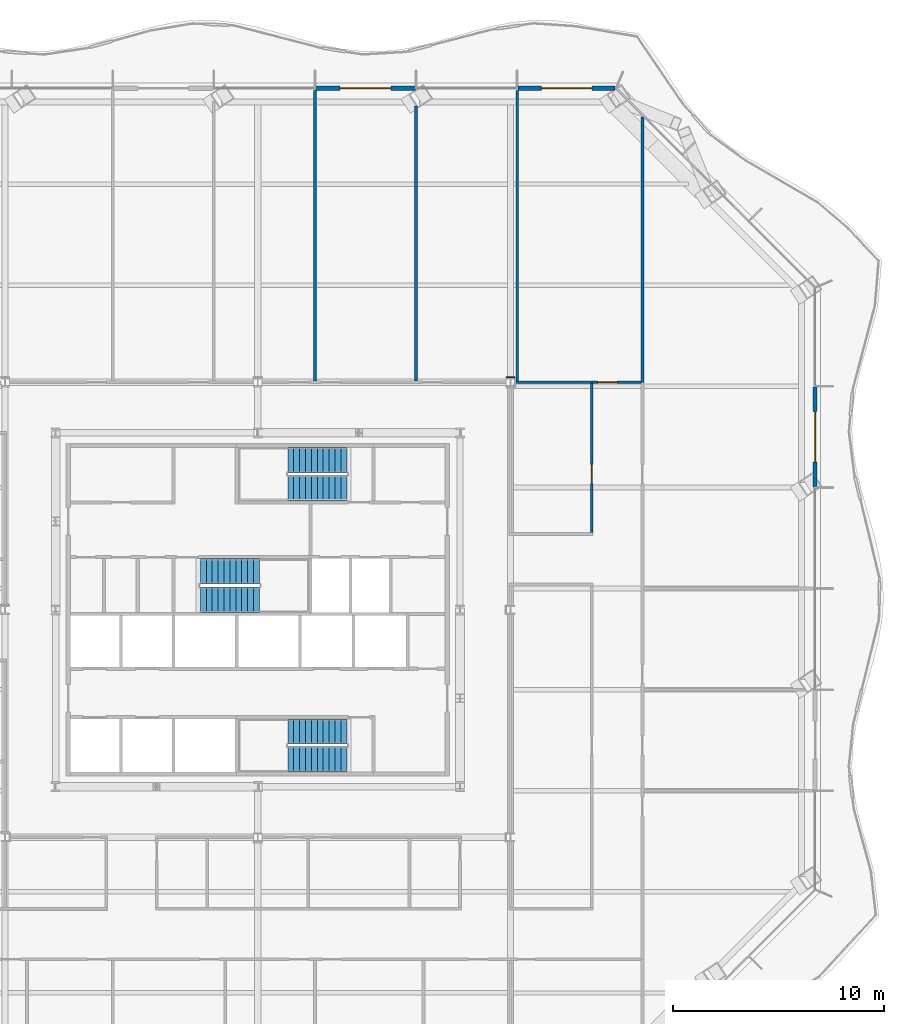
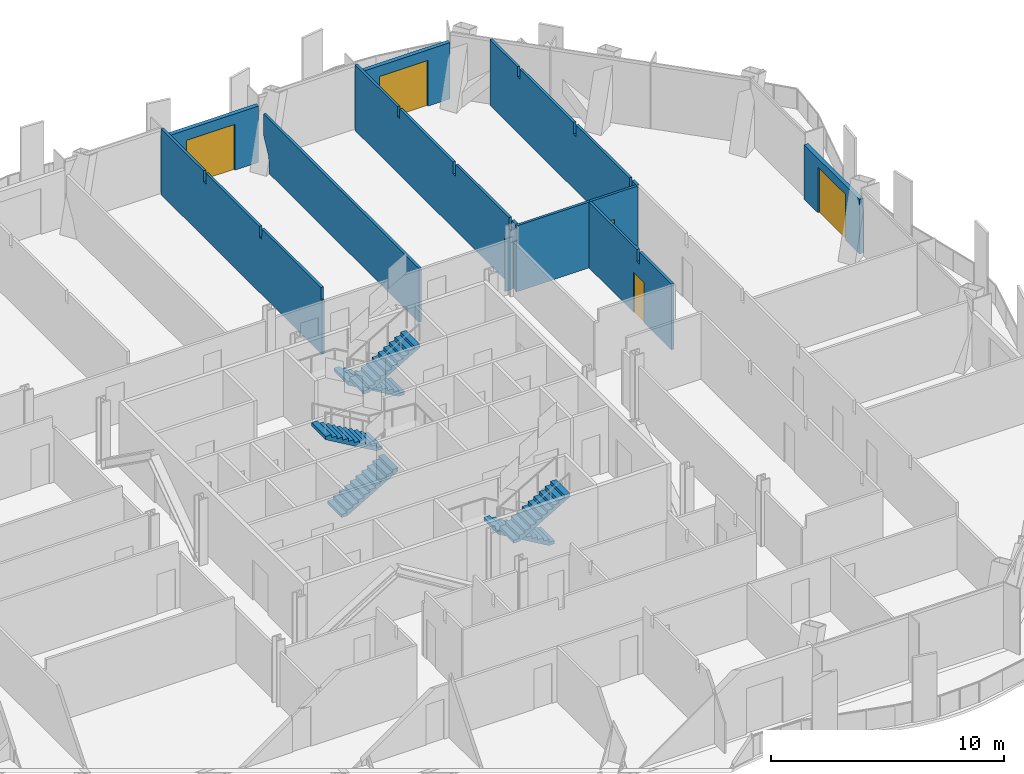
# One storey, part 13 of 22: 11 walls, 6 stair flights, 5 doors, 5 openings, 3 elements without a shape of their own.
"""IFC4 building model written with IfcOpenShell, lengths in metres."""

import ifcopenshell
import ifcopenshell.guid

model = None  # the IFC model being written
_history = None  # IfcOwnerHistory: only IFC2X3 demands one
_inside = {}  # id of a spatial element -> (the spatial element, [elements in it])
_under = {}  # id of a project, library or spatial element -> (it, [spatial elements below it])
_declared = {}  # id of a project -> (the project, [libraries it declares])
_typed = {}  # id of a type object -> (the type object, [elements of that type])
_made_of = {}  # id of a material, layer set ... -> (it, [elements and type objects made of it])


def new_model(schema):
    """Start an empty IFC model of exactly this schema.

    Asked for "IFC4X3", IfcOpenShell would pick the latest addendum, in which some entities
    have other attributes; the version numbers below select the first issue.
    IFC2X3 requires an IfcOwnerHistory on every rooted entity: one is made here for all.
    """
    global model, _history
    if schema == "IFC4X3":
        model = ifcopenshell.file(schema_version=(4, 3, 0, 0))
    else:
        model = ifcopenshell.file(schema=schema)
    _inside.clear()
    _under.clear()
    _declared.clear()
    _typed.clear()
    _made_of.clear()
    _history = None
    if model.schema == "IFC2X3":
        org = make("IfcOrganization", Name="unknown")
        user = make(
            "IfcPersonAndOrganization",
            ThePerson=make("IfcPerson", FamilyName="unknown"),
            TheOrganization=org,
        )
        app = make(
            "IfcApplication",
            ApplicationDeveloper=org,
            Version="unknown",
            ApplicationFullName="unknown",
            ApplicationIdentifier="unknown",
        )
        _history = make(
            "IfcOwnerHistory",
            OwningUser=user,
            OwningApplication=app,
            ChangeAction="ADDED",
            CreationDate=0,
        )
    return model


def make(cls, **values):
    """One entity of the class cls with the attributes given. An attribute that is None is left unset."""
    return model.create_entity(
        cls, **{name: value for name, value in values.items() if value is not None}
    )


def rooted(cls, **values):
    """An entity with a GlobalId (a new one), such as an element, a storey or a relation."""
    return make(cls, GlobalId=ifcopenshell.guid.new(), OwnerHistory=_history, **values)


def si_unit(unit_type, name, prefix=None):
    """IfcSIUnit, for example si_unit("LENGTHUNIT", "METRE", prefix="MILLI")."""
    return make("IfcSIUnit", UnitType=unit_type, Prefix=prefix, Name=name)


def assignment(units):
    """IfcUnitAssignment: the units of a project."""
    return None if units is None else make("IfcUnitAssignment", Units=units)


def point(xyz):
    """IfcCartesianPoint."""
    return None if xyz is None else make("IfcCartesianPoint", Coordinates=xyz)


def direction(xyz):
    """IfcDirection."""
    return None if xyz is None else make("IfcDirection", DirectionRatios=xyz)


def frame(location, z_axis=None, x_axis=None):
    """IfcAxis2Placement3D, a coordinate frame: its origin and axes. An axis left out is left unset."""
    return make(
        "IfcAxis2Placement3D",
        Location=point(location),
        Axis=direction(z_axis),
        RefDirection=direction(x_axis),
    )


def frame_2d(location, x_axis=None):
    """IfcAxis2Placement2D, a coordinate frame in the plane: its origin and x axis."""
    return make(
        "IfcAxis2Placement2D", Location=point(location), RefDirection=direction(x_axis)
    )


def origin():
    """The frame at (0, 0, 0) with its axes left unset."""
    return frame((0.0, 0.0, 0.0))


def place(relative_to, where):
    """IfcLocalPlacement: puts the frame where relative to a parent placement (None: the world)."""
    return make(
        "IfcLocalPlacement", PlacementRelTo=relative_to, RelativePlacement=where
    )


def context(
    kind, dimensions, precision=None, world=None, true_north=None, identifier=None
):
    """IfcGeometricRepresentationContext, for example the 3D "Model" context."""
    return make(
        "IfcGeometricRepresentationContext",
        ContextIdentifier=identifier,
        ContextType=kind,
        CoordinateSpaceDimension=dimensions,
        Precision=precision,
        WorldCoordinateSystem=world,
        TrueNorth=true_north,
    )


def subcontext(parent, identifier, kind, view, scale=None):
    """IfcGeometricRepresentationSubContext, for example "Body" below "Model"."""
    return make(
        "IfcGeometricRepresentationSubContext",
        ContextIdentifier=identifier,
        ContextType=kind,
        ParentContext=parent,
        TargetScale=scale,
        TargetView=view,
    )


def project(units=None, contexts=None):
    """IfcProject with its units and contexts."""
    return rooted(
        "IfcProject",
        Name="project",
        RepresentationContexts=contexts,
        UnitsInContext=assignment(units),
    )


def spatial(cls, under=None, at=None, **own):
    """A site, building, storey or space (cls), placed at a placement, below another one or the project."""
    s = rooted(cls, ObjectPlacement=at, **own)
    if under is not None:
        _under.setdefault(under.id(), (under, []))[1].append(s)
    return s


def polyline(points):
    """IfcPolyline through the points."""
    return make("IfcPolyline", Points=[point(p) for p in points])


def profile(cls, at=None, kind="AREA", **sizes):
    """A parametric profile (cls). Its sizes go by their IFC names, for example OverallWidth=200.0."""
    return make(cls, ProfileType=kind, Position=at, **sizes)


def rectangle(**sizes):
    """IfcRectangleProfileDef."""
    return profile("IfcRectangleProfileDef", **sizes)


def outline(outer, holes=None, kind="AREA"):
    """IfcArbitraryClosedProfileDef: a profile drawn as a closed curve; with holes, ...WithVoids."""
    if holes is None:
        return make("IfcArbitraryClosedProfileDef", ProfileType=kind, OuterCurve=outer)
    return make(
        "IfcArbitraryProfileDefWithVoids",
        ProfileType=kind,
        OuterCurve=outer,
        InnerCurves=holes,
    )


def extrude(swept, where, along, depth):
    """IfcExtrudedAreaSolid: the profile swept, set in the frame where, extruded along a direction by depth."""
    return make(
        "IfcExtrudedAreaSolid",
        SweptArea=swept,
        Position=where,
        ExtrudedDirection=direction(along),
        Depth=depth,
    )


def shape(context_of_items, identifier, shape_type, items):
    """IfcShapeRepresentation: the items that make up one representation, for example the "Body"."""
    return make(
        "IfcShapeRepresentation",
        ContextOfItems=context_of_items,
        RepresentationIdentifier=identifier,
        RepresentationType=shape_type,
        Items=items,
    )


def material(Name=None, Category=None):
    """IfcMaterial."""
    return make("IfcMaterial", Name=Name, Category=Category)


def layer(
    of_material, thickness, ventilated=None, Name=None, Category=None, Priority=None
):
    """IfcMaterialLayer: one layer of a wall or slab, of a material (None: an air gap)."""
    return make(
        "IfcMaterialLayer",
        Material=of_material,
        LayerThickness=thickness,
        IsVentilated=ventilated,
        Name=Name,
        Category=Category,
        Priority=Priority,
    )


def layer_set(layers, Name=None):
    """IfcMaterialLayerSet."""
    return make("IfcMaterialLayerSet", MaterialLayers=layers, LayerSetName=Name)


def made_of(thing, what):
    """Note that an element or type object is made of a material, layer set ...; save() writes the relation."""
    if what is not None:
        _made_of.setdefault(what.id(), (what, []))[1].append(thing)
    return thing


def type_object(cls, material=None, **own):
    """A type object (cls), such as IfcWallType, which elements share."""
    return made_of(rooted(cls, **own), material)


def element(
    cls,
    number,
    at=None,
    inside=None,
    cuts=None,
    type_object=None,
    material=None,
    context=None,
    identifier="Body",
    shape_type=None,
    held_by="IfcProductDefinitionShape",
    body=None,
    shapes=None,
    **own,
):
    """One element of the class cls, such as IfcWall. Its Tag is "e" and its number.

    at: its placement. inside: the storey or other place that contains it. cuts: it is an
    opening in that element (IfcRelVoidsElement). A single representation is given by context,
    identifier, shape_type and body (its items); several are given by shapes. held_by: the class
    of the entity that holds the representations. save() writes the other relations.
    """
    e = rooted(cls, Tag="e%d" % number, ObjectPlacement=at, **own)
    if body is not None:
        shapes = [shape(context, identifier, shape_type, body)]
    if shapes is not None:
        e.Representation = make(held_by, Representations=shapes)
    if inside is not None:
        _inside.setdefault(inside.id(), (inside, []))[1].append(e)
    if cuts is not None:
        rooted(
            "IfcRelVoidsElement", RelatingBuildingElement=cuts, RelatedOpeningElement=e
        )
    if type_object is not None:
        _typed.setdefault(type_object.id(), (type_object, []))[1].append(e)
    return made_of(e, material)


def fill(opening, filler):
    """IfcRelFillsElement: the door or window that sits in an opening."""
    return rooted(
        "IfcRelFillsElement",
        RelatingOpeningElement=opening,
        RelatedBuildingElement=filler,
    )


def aggregate(whole, parts):
    """IfcRelAggregates: a whole, such as a stair, and the parts it consists of."""
    return rooted("IfcRelAggregates", RelatingObject=whole, RelatedObjects=parts)


def save(model, path):
    """Write the relations noted so far, then the file.

    IfcRelAggregates (storeys below a building ...), IfcRelContainedInSpatialStructure (elements
    in a storey), IfcRelDefinesByType, IfcRelAssociatesMaterial and IfcRelDeclares: one each for
    every whole, place, type object, material and project.
    """
    for whole, parts in _under.values():
        aggregate(whole, parts)
    for where, things in _inside.values():
        rooted(
            "IfcRelContainedInSpatialStructure",
            RelatedElements=things,
            RelatingStructure=where,
        )
    for kind, things in _typed.values():
        rooted("IfcRelDefinesByType", RelatedObjects=things, RelatingType=kind)
    for what, things in _made_of.values():
        rooted("IfcRelAssociatesMaterial", RelatedObjects=things, RelatingMaterial=what)
    for by, libraries in _declared.values():
        rooted("IfcRelDeclares", RelatingContext=by, RelatedDefinitions=libraries)
    model.write(path)


model = new_model("IFC4")

# Units and contexts
model_context = context("Model", 3, precision=1e-05, world=origin(), true_north=direction((0.0, 1.0)))
body_context = subcontext(model_context, "Body", "Model", "MODEL_VIEW")
ifc_project = project(units=[si_unit("LENGTHUNIT", "METRE"), si_unit("AREAUNIT", "SQUARE_METRE"), si_unit("VOLUMEUNIT", "CUBIC_METRE"), si_unit("PLANEANGLEUNIT", "RADIAN"), si_unit("MASSUNIT", "GRAM", prefix="KILO")], contexts=[model_context])

# Site, building, storey
site_placement = place(None, origin())
site = spatial("IfcSite", under=ifc_project, at=site_placement, CompositionType="ELEMENT")
building_placement = place(site_placement, origin())
building = spatial("IfcBuilding", under=site, at=building_placement, Name="Cairn Pilgrim Tower", CompositionType="ELEMENT")
storey_placement = place(building_placement, frame((0.0, 0.0, 105.0)))
storey = spatial("IfcBuildingStorey", under=building, at=storey_placement, Name="L25", CompositionType="ELEMENT", Elevation=105.0)

# Wall, opening, door
ifc_material_1 = material(Name="Bronze anodised aluminium insulated sandwich panel with mineral wool fill", Category="aluminium")
ifc_layer_1 = layer(ifc_material_1, 0.199951171875)
ifc_layer_set_1 = layer_set([ifc_layer_1], Name="BRONZE INFILL FRAME WALL 200")
wall_type_1 = type_object("IfcWallType", Name="BRONZE INFILL FRAME WALL 200", PredefinedType="NOTDEFINED", material=ifc_layer_set_1)
wall_1_placement = place(storey_placement, frame((33.662841796875, 8.238525390625, 0.0), z_axis=(0.0, 0.0, 1.0), x_axis=(0.0, 1.0, 0.0)))
wall_1 = element("IfcWall", 1, at=wall_1_placement, inside=storey, type_object=wall_type_1, Name="Bronze infill frame wall IW-E5", PredefinedType="NOTDEFINED", context=body_context, shape_type="SweptSolid", body=[
    extrude(rectangle(XDim=4.739990234375, YDim=0.199951171875, at=frame_2d((2.3701171875, 0.0))), origin(), (0.0, 0.0, 1.0), 2.85009765625),
])
opening_1_placement = place(wall_1_placement, frame((1.17041015625, 0.0, 0.0)))
opening_1 = element("IfcOpeningElement", 2, at=opening_1_placement, cuts=wall_1, Name="Opening 2526B", PredefinedType="OPENING", context=body_context, shape_type="SweptSolid", body=[
    extrude(rectangle(XDim=2.39990234375, YDim=2.39990234375, at=frame_2d((1.199951171875, 1.199951171875))), frame((0.0, 0.10986328125, 0.0), z_axis=(0.0, -1.0, 0.0), x_axis=(1.0, 0.0, 0.0)), (0.0, 0.0, 1.0), 0.219970703125),
])
ifc_material_2 = material(Name="Bronze anodised aluminium frame with tinted low-E glass", Category="aluminium")
door_type_1 = type_object("IfcDoorType", Name="BALCONY SLIDING DOOR 2400x2400", OperationType="DOUBLE_DOOR_SLIDING", PredefinedType="DOOR", material=ifc_material_2)
door_1_placement = place(opening_1_placement, origin())
door_1 = element("IfcDoor", 3, at=door_1_placement, inside=storey, type_object=door_type_1, Name="Balcony sliding door 2526B", OperationType="SINGLE_SWING_LEFT", OverallHeight=2.39990234375, OverallWidth=2.39990234375, PredefinedType="DOOR", context=body_context, shape_type="SweptSolid", body=[
    extrude(rectangle(XDim=2.39990234375, YDim=2.39990234375, at=frame_2d((1.199951171875, 1.199951171875))), frame((0.0, 0.02490234375, 0.0), z_axis=(0.0, -1.0, 0.0), x_axis=(1.0, 0.0, 0.0)), (0.0, 0.0, 1.0), 0.050048828125),
])
fill(opening_1, door_1)

wall_2_placement = place(storey_placement, frame((24.16943359375, 27.15869140625, 0.0), z_axis=(0.0, 0.0, 1.0), x_axis=(-1.0, 0.0, 0.0)))
wall_2 = element("IfcWall", 4, at=wall_2_placement, inside=storey, type_object=wall_type_1, Name="Bronze infill frame wall IW-N1", PredefinedType="NOTDEFINED", context=body_context, shape_type="SweptSolid", body=[
    extrude(rectangle(XDim=4.62646484375, YDim=0.199951171875, at=frame_2d((2.313232421875, 0.0))), origin(), (0.0, 0.0, 1.0), 2.949951171875),
])
opening_2_placement = place(wall_2_placement, frame((1.10791015625, 0.0, 0.0)))
opening_2 = element("IfcOpeningElement", 5, at=opening_2_placement, cuts=wall_2, Name="Opening 2522B", PredefinedType="OPENING", context=body_context, shape_type="SweptSolid", body=[
    extrude(rectangle(XDim=2.39990234375, YDim=2.39990234375, at=frame_2d((1.199951171875, 1.199951171875))), frame((0.0, 0.10986328125, 0.0), z_axis=(0.0, -1.0, 0.0), x_axis=(1.0, 0.0, 0.0)), (0.0, 0.0, 1.0), 0.219970703125),
])
door_2_placement = place(opening_2_placement, origin())
door_2 = element("IfcDoor", 6, at=door_2_placement, inside=storey, type_object=door_type_1, Name="Balcony sliding door 2522B", OperationType="SINGLE_SWING_LEFT", OverallHeight=2.39990234375, OverallWidth=2.39990234375, PredefinedType="DOOR", context=body_context, shape_type="SweptSolid", body=[
    extrude(rectangle(XDim=2.39990234375, YDim=2.39990234375, at=frame_2d((1.199951171875, 1.199951171875))), frame((0.0, 0.02490234375, 0.0), z_axis=(0.0, -1.0, 0.0), x_axis=(1.0, 0.0, 0.0)), (0.0, 0.0, 1.0), 0.050048828125),
])
fill(opening_2, door_2)

wall_3_placement = place(storey_placement, frame((14.682861328125, 27.15869140625, 0.0), z_axis=(0.0, 0.0, 1.0), x_axis=(-1.0, 0.0, 0.0)))
wall_3 = element("IfcWall", 7, at=wall_3_placement, inside=storey, type_object=wall_type_1, Name="Bronze infill frame wall IW-N3", PredefinedType="NOTDEFINED", context=body_context, shape_type="SweptSolid", body=[
    extrude(rectangle(XDim=4.739990234375, YDim=0.199951171875, at=frame_2d((2.3701171875, 0.0))), origin(), (0.0, 0.0, 1.0), 2.949951171875),
])
opening_3_placement = place(wall_3_placement, frame((1.169921875, 0.0, 0.0)))
opening_3 = element("IfcOpeningElement", 8, at=opening_3_placement, cuts=wall_3, Name="Opening 2520B", PredefinedType="OPENING", context=body_context, shape_type="SweptSolid", body=[
    extrude(rectangle(XDim=2.39990234375, YDim=2.39990234375, at=frame_2d((1.199951171875, 1.199951171875))), frame((0.0, 0.10986328125, 0.0), z_axis=(0.0, -1.0, 0.0), x_axis=(1.0, 0.0, 0.0)), (0.0, 0.0, 1.0), 0.219970703125),
])
door_3_placement = place(opening_3_placement, origin())
door_3 = element("IfcDoor", 9, at=door_3_placement, inside=storey, type_object=door_type_1, Name="Balcony sliding door 2520B", OperationType="SINGLE_SWING_LEFT", OverallHeight=2.39990234375, OverallWidth=2.39990234375, PredefinedType="DOOR", context=body_context, shape_type="SweptSolid", body=[
    extrude(rectangle(XDim=2.39990234375, YDim=2.39990234375, at=frame_2d((1.199951171875, 1.199951171875))), frame((0.0, 0.02490234375, 0.0), z_axis=(0.0, -1.0, 0.0), x_axis=(1.0, 0.0, 0.0)), (0.0, 0.0, 1.0), 0.050048828125),
])
fill(opening_3, door_3)

ifc_material_3 = material(Name="Gypsum partition")
ifc_layer_2 = layer(ifc_material_3, 0.125)
ifc_layer_set_2 = layer_set([ifc_layer_2], Name="PARTITION 125 DRYWALL EI 60")
wall_type_2 = type_object("IfcWallType", Name="PARTITION 125 DRYWALL EI 60", PredefinedType="PARTITIONING", material=ifc_layer_set_2)
wall_4_placement = place(storey_placement, frame((23.06298828125, 6.0625, 0.0), z_axis=(0.0, 0.0, 1.0), x_axis=(0.0, 1.0, 0.0)))
wall_4 = element("IfcWall", 10, at=wall_4_placement, inside=storey, type_object=wall_type_2, Name="PARTITION W054", PredefinedType="PARTITIONING", context=body_context, shape_type="SweptSolid", body=[
    extrude(outline(polyline([(0.0, 0.0), (7.074951171875, 0.0), (7.074951171875, 3.449951171875), (2.97509765625, 3.449951171875), (2.97314453125, 2.830078125), (2.755126953125, 2.830078125), (2.753173828125, 3.449951171875), (0.0, 3.449951171875), (0.0, 0.0)])), frame((0.0, 0.0625, 0.0), z_axis=(0.0, -1.0, 0.0), x_axis=(1.0, 0.0, 0.0)), (0.0, 0.0, 1.0), 0.125),
])
opening_4_placement = place(wall_4_placement, frame((2.33740234375, 0.0, 0.0)))
opening_4 = element("IfcOpeningElement", 11, at=opening_4_placement, cuts=wall_4, Name="Opening 2527", PredefinedType="OPENING", context=body_context, shape_type="SweptSolid", body=[
    extrude(rectangle(XDim=0.89990234375, YDim=2.10009765625, at=frame_2d((0.449951171875, 1.050048828125))), frame((0.0, 0.072509765625, 0.0), z_axis=(0.0, -1.0, 0.0), x_axis=(1.0, 0.0, 0.0)), (0.0, 0.0, 1.0), 0.14501953125),
])
ifc_material_4 = material(Name="Steel-faced fire door leaf", Category="steel")
door_type_2 = type_object("IfcDoorType", Name="FIRE DOOR 900x2100 FD30S", OperationType="NOTDEFINED", PredefinedType="DOOR", material=ifc_material_4)
door_4_placement = place(opening_4_placement, origin())
door_4 = element("IfcDoor", 12, at=door_4_placement, inside=storey, type_object=door_type_2, Name="DOOR 2527", OperationType="SINGLE_SWING_RIGHT", OverallHeight=2.10009765625, OverallWidth=0.89990234375, PredefinedType="DOOR", context=body_context, shape_type="SweptSolid", body=[
    extrude(rectangle(XDim=0.89990234375, YDim=2.10009765625, at=frame_2d((0.449951171875, 1.050048828125))), frame((0.0, 0.02490234375, 0.0), z_axis=(0.0, -1.0, 0.0), x_axis=(1.0, 0.0, 0.0)), (0.0, 0.0, 1.0), 0.050048828125),
])
fill(opening_4, door_4)

# Wall
wall_5_placement = place(storey_placement, frame((19.404541015625, 13.199951171875, 0.0), z_axis=(0.0, 0.0, 1.0), x_axis=(1.0, 0.0, 0.0)))
element("IfcWall", 13, at=wall_5_placement, inside=storey, type_object=wall_type_2, Name="PARTITION W063", PredefinedType="PARTITIONING", context=body_context, shape_type="SweptSolid", body=[
    extrude(rectangle(XDim=3.658447265625, YDim=0.125, at=frame_2d((1.8291015625, 0.0))), origin(), (0.0, 0.0, 1.0), 3.449951171875),
])

# Wall, opening, door
wall_6_placement = place(storey_placement, frame((23.06298828125, 13.199951171875, 0.0), z_axis=(0.0, 0.0, 1.0), x_axis=(1.0, 0.0, 0.0)))
wall_6 = element("IfcWall", 14, at=wall_6_placement, inside=storey, type_object=wall_type_2, Name="PARTITION W064", PredefinedType="PARTITIONING", context=body_context, shape_type="SweptSolid", body=[
    extrude(rectangle(XDim=2.33740234375, YDim=0.125, at=frame_2d((1.168701171875, 0.0))), origin(), (0.0, 0.0, 1.0), 3.449951171875),
])
opening_5_placement = place(wall_6_placement, frame((0.300048828125, 0.0, 0.0)))
opening_5 = element("IfcOpeningElement", 15, at=opening_5_placement, cuts=wall_6, Name="Opening 2522", PredefinedType="OPENING", context=body_context, shape_type="SweptSolid", body=[
    extrude(rectangle(XDim=0.89990234375, YDim=2.10009765625, at=frame_2d((0.449951171875, 1.050048828125))), frame((0.0, 0.072509765625, 0.0), z_axis=(0.0, -1.0, 0.0), x_axis=(1.0, 0.0, 0.0)), (0.0, 0.0, 1.0), 0.14501953125),
])
door_5_placement = place(opening_5_placement, origin())
door_5 = element("IfcDoor", 16, at=door_5_placement, inside=storey, type_object=door_type_2, Name="DOOR 2522", OperationType="SINGLE_SWING_LEFT", OverallHeight=2.10009765625, OverallWidth=0.89990234375, PredefinedType="DOOR", context=body_context, shape_type="SweptSolid", body=[
    extrude(rectangle(XDim=0.89990234375, YDim=2.10009765625, at=frame_2d((0.449951171875, 1.050048828125))), frame((0.0, 0.02490234375, 0.0), z_axis=(0.0, -1.0, 0.0), x_axis=(1.0, 0.0, 0.0)), (0.0, 0.0, 1.0), 0.050048828125),
])
fill(opening_5, door_5)

# Walls
wall_7_placement = place(storey_placement, frame((25.462890625, 13.199951171875, 0.0), z_axis=(0.0, 0.0, 1.0), x_axis=(0.0, 1.0, 0.0)))
element("IfcWall", 17, at=wall_7_placement, inside=storey, type_object=wall_type_2, Name="PARTITION W065", PredefinedType="PARTITIONING", context=body_context, shape_type="SweptSolid", body=[
    extrude(outline(polyline([(0.0, 0.0), (12.59716796875, 0.0), (12.59716796875, 3.449951171875), (10.227783203125, 3.449951171875), (10.2255859375, 2.929931640625), (10.027587890625, 2.929931640625), (10.025634765625, 3.449951171875), (5.437744140625, 3.449951171875), (5.435791015625, 2.830078125), (5.2177734375, 2.830078125), (5.2158203125, 3.449951171875), (0.6376953125, 3.449951171875), (0.6357421875, 2.830078125), (0.417724609375, 2.830078125), (0.415771484375, 3.449951171875), (0.0, 3.449951171875), (0.0, 0.0)])), frame((0.0, 0.0625, 0.0), z_axis=(0.0, -1.0, 0.0), x_axis=(1.0, 0.0, 0.0)), (0.0, 0.0, 1.0), 0.125),
])
wall_8_placement = place(storey_placement, frame((9.9130859375, 13.262451171875, 0.0), z_axis=(0.0, 0.0, 1.0), x_axis=(0.0, 1.0, 0.0)))
element("IfcWall", 18, at=wall_8_placement, inside=storey, type_object=wall_type_2, Name="PARTITION W070", PredefinedType="PARTITIONING", context=body_context, shape_type="SweptSolid", body=[
    extrude(outline(polyline([(0.0, 0.0), (13.796142578125, 0.0), (13.796142578125, 3.449951171875), (10.170166015625, 3.449951171875), (10.168212890625, 2.8798828125), (9.960205078125, 2.8798828125), (9.958251953125, 3.449951171875), (5.3701171875, 3.449951171875), (5.3681640625, 2.8798828125), (5.16015625, 2.8798828125), (5.158203125, 3.449951171875), (0.08740234375, 3.449951171875), (0.08544921875, 2.830078125), (0.0, 2.830078125), (0.0, 0.0)])), frame((0.0, 0.0625, 0.0), z_axis=(0.0, -1.0, 0.0), x_axis=(1.0, 0.0, 0.0)), (0.0, 0.0, 1.0), 0.125),
])
wall_9_placement = place(storey_placement, frame((14.712890625, 13.262451171875, 0.0), z_axis=(0.0, 0.0, 1.0), x_axis=(0.0, 1.0, 0.0)))
element("IfcWall", 19, at=wall_9_placement, inside=storey, type_object=wall_type_2, Name="PARTITION W071", PredefinedType="PARTITIONING", context=body_context, shape_type="SweptSolid", body=[
    extrude(outline(polyline([(0.0, 0.0), (12.847900390625, 0.0), (12.879638671875, 0.862548828125), (13.323486328125, 1.72509765625), (13.323486328125, 2.58740234375), (13.323486328125, 2.830078125), (0.0, 2.830078125), (0.0, 2.58740234375), (0.0, 1.72509765625), (0.0, 0.862548828125), (0.0, 0.0)])), frame((0.0, 0.0625, 0.0), z_axis=(0.0, -1.0, 0.0), x_axis=(1.0, 0.0, 0.0)), (0.0, 0.0, 1.0), 0.125),
])
wall_10_placement = place(storey_placement, frame((19.512939453125, 13.262451171875, 0.0), z_axis=(0.0, 0.0, 1.0), x_axis=(0.0, 1.0, 0.0)))
element("IfcWall", 20, at=wall_10_placement, inside=storey, type_object=wall_type_2, Name="PARTITION W072", PredefinedType="PARTITIONING", context=body_context, shape_type="SweptSolid", body=[
    extrude(outline(polyline([(0.0, 0.0), (13.796142578125, 0.0), (13.796142578125, 3.449951171875), (10.165283203125, 3.449951171875), (10.1630859375, 2.929931640625), (9.965087890625, 2.929931640625), (9.963134765625, 3.449951171875), (5.375244140625, 3.449951171875), (5.373291015625, 2.830078125), (5.1552734375, 2.830078125), (5.1533203125, 3.449951171875), (0.5751953125, 3.449951171875), (0.5732421875, 2.830078125), (0.355224609375, 2.830078125), (0.353271484375, 3.449951171875), (0.0, 3.449951171875), (0.0, 0.0)])), frame((0.0, 0.0625, 0.0), z_axis=(0.0, -1.0, 0.0), x_axis=(1.0, 0.0, 0.0)), (0.0, 0.0, 1.0), 0.125),
])
ifc_layer_3 = layer(ifc_material_3, 0.050048828125)
ifc_layer_set_3 = layer_set([ifc_layer_3], Name="PARTITION 50 DRYWALL EI 60")
wall_type_3 = type_object("IfcWallType", Name="PARTITION 50 DRYWALL EI 60", PredefinedType="PARTITIONING", material=ifc_layer_set_3)
wall_11_placement = place(storey_placement, frame((18.99560546875, 13.4375, 0.0), z_axis=(0.0, 0.0, 1.0), x_axis=(1.0, 0.0, 0.0)))
element("IfcWall", 21, at=wall_11_placement, inside=storey, type_object=wall_type_3, Name="COLUMN CASING WC15", PredefinedType="PARTITIONING", context=body_context, shape_type="SweptSolid", body=[
    extrude(rectangle(XDim=0.408935546875, YDim=0.050048828125, at=frame_2d((0.20458984375, 0.0))), origin(), (0.0, 0.0, 1.0), 2.72998046875),
])

# Stair, stair flights
ifc_material_5 = material(Name="Concrete C32/40", Category="concrete")
stair_type = type_object("IfcStairType", Name="EXIT STAIR 1200", PredefinedType="HALF_TURN_STAIR", material=ifc_material_5)
stair_1_placement = place(storey_placement, origin())
stair_1 = element("IfcStair", 22, at=stair_1_placement, inside=storey, type_object=stair_type, Name="L25 Exit Stair A", PredefinedType="HALF_TURN_STAIR")
stair_flight_type = type_object("IfcStairFlightType", Name="STAIR FLIGHT 1200", PredefinedType="STRAIGHT", material=ifc_material_5)
stair_flight_1_placement = place(storey_placement, frame((11.425048828125, -3.375, 0.0), z_axis=(0.0, 0.0, 1.0), x_axis=(-1.0, 0.0, 0.0)))
stair_flight_1 = element("IfcStairFlight", 23, at=stair_flight_1_placement, type_object=stair_flight_type, Name="ST-A flight 1", NumberOfRisers=11, NumberOfTreads=10, PredefinedType="STRAIGHT", RiserHeight=0.163636364, TreadLength=0.28, context=body_context, shape_type="SweptSolid", body=[
    extrude(outline(polyline([(0.0, 0.0), (0.0, 0.16357421875), (0.280029296875, 0.16357421875), (0.280029296875, 0.327392578125), (0.56005859375, 0.327392578125), (0.56005859375, 0.490966796875), (0.840087890625, 0.490966796875), (0.840087890625, 0.654541015625), (1.1201171875, 0.654541015625), (1.1201171875, 0.818115234375), (1.39990234375, 0.818115234375), (1.39990234375, 0.98193359375), (1.679931640625, 0.98193359375), (1.679931640625, 1.1455078125), (1.9599609375, 1.1455078125), (1.9599609375, 1.30908203125), (2.239990234375, 1.30908203125), (2.239990234375, 1.47265625), (2.52001953125, 1.47265625), (2.52001953125, 1.636474609375), (2.800048828125, 1.636474609375), (2.800048828125, 1.800048828125), (2.800048828125, 1.462646484375), (0.297119140625, 0.0), (0.0, 0.0)])), frame((0.0, 0.60009765625, 0.0), z_axis=(0.0, -1.0, 0.0), x_axis=(1.0, 0.0, 0.0)), (0.0, 0.0, 1.0), 1.199951171875),
])
stair_flight_2_placement = place(storey_placement, frame((8.625, -4.699951171875, 1.800048828125), z_axis=(0.0, 0.0, 1.0), x_axis=(1.0, 0.0, 0.0)))
stair_flight_2 = element("IfcStairFlight", 24, at=stair_flight_2_placement, type_object=stair_flight_type, Name="ST-A flight 2", NumberOfRisers=11, NumberOfTreads=10, PredefinedType="STRAIGHT", RiserHeight=0.163636364, TreadLength=0.28, context=body_context, shape_type="SweptSolid", body=[
    extrude(outline(polyline([(0.0, 0.0), (0.0, 0.16357421875), (0.280029296875, 0.16357421875), (0.280029296875, 0.327392578125), (0.56005859375, 0.327392578125), (0.56005859375, 0.490966796875), (0.840087890625, 0.490966796875), (0.840087890625, 0.654541015625), (1.1201171875, 0.654541015625), (1.1201171875, 0.818115234375), (1.39990234375, 0.818115234375), (1.39990234375, 0.98193359375), (1.679931640625, 0.98193359375), (1.679931640625, 1.1455078125), (1.9599609375, 1.1455078125), (1.9599609375, 1.30908203125), (2.239990234375, 1.30908203125), (2.239990234375, 1.47265625), (2.52001953125, 1.47265625), (2.52001953125, 1.636474609375), (2.800048828125, 1.636474609375), (2.800048828125, 1.800048828125), (2.800048828125, 1.462646484375), (0.297119140625, 0.0), (0.0, 0.0)])), frame((0.0, 0.60009765625, 0.0), z_axis=(0.0, -1.0, 0.0), x_axis=(1.0, 0.0, 0.0)), (0.0, 0.0, 1.0), 1.199951171875),
])
aggregate(stair_1, [stair_flight_1, stair_flight_2])

stair_2_placement = place(storey_placement, origin())
stair_2 = element("IfcStair", 25, at=stair_2_placement, inside=storey, type_object=stair_type, Name="L25 Exit Stair B", PredefinedType="HALF_TURN_STAIR")
stair_flight_3_placement = place(storey_placement, frame((4.47509765625, 2.875, 0.0), z_axis=(0.0, 0.0, 1.0), x_axis=(1.0, 0.0, 0.0)))
stair_flight_3 = element("IfcStairFlight", 26, at=stair_flight_3_placement, type_object=stair_flight_type, Name="ST-B flight 1", NumberOfRisers=11, NumberOfTreads=10, PredefinedType="STRAIGHT", RiserHeight=0.163636364, TreadLength=0.28, context=body_context, shape_type="SweptSolid", body=[
    extrude(outline(polyline([(0.0, 0.0), (0.0, 0.16357421875), (0.280029296875, 0.16357421875), (0.280029296875, 0.327392578125), (0.56005859375, 0.327392578125), (0.56005859375, 0.490966796875), (0.840087890625, 0.490966796875), (0.840087890625, 0.654541015625), (1.1201171875, 0.654541015625), (1.1201171875, 0.818115234375), (1.39990234375, 0.818115234375), (1.39990234375, 0.98193359375), (1.679931640625, 0.98193359375), (1.679931640625, 1.1455078125), (1.9599609375, 1.1455078125), (1.9599609375, 1.30908203125), (2.239990234375, 1.30908203125), (2.239990234375, 1.47265625), (2.52001953125, 1.47265625), (2.52001953125, 1.636474609375), (2.800048828125, 1.636474609375), (2.800048828125, 1.800048828125), (2.800048828125, 1.462646484375), (0.297119140625, 0.0), (0.0, 0.0)])), frame((0.0, 0.60009765625, 0.0), z_axis=(0.0, -1.0, 0.0), x_axis=(1.0, 0.0, 0.0)), (0.0, 0.0, 1.0), 1.199951171875),
])
stair_flight_4_placement = place(storey_placement, frame((7.27490234375, 4.22509765625, 1.800048828125), z_axis=(0.0, 0.0, 1.0), x_axis=(-1.0, 0.0, 0.0)))
stair_flight_4 = element("IfcStairFlight", 27, at=stair_flight_4_placement, type_object=stair_flight_type, Name="ST-B flight 2", NumberOfRisers=11, NumberOfTreads=10, PredefinedType="STRAIGHT", RiserHeight=0.163636364, TreadLength=0.28, context=body_context, shape_type="SweptSolid", body=[
    extrude(outline(polyline([(0.0, 0.0), (0.0, 0.16357421875), (0.280029296875, 0.16357421875), (0.280029296875, 0.327392578125), (0.56005859375, 0.327392578125), (0.56005859375, 0.490966796875), (0.840087890625, 0.490966796875), (0.840087890625, 0.654541015625), (1.1201171875, 0.654541015625), (1.1201171875, 0.818115234375), (1.39990234375, 0.818115234375), (1.39990234375, 0.98193359375), (1.679931640625, 0.98193359375), (1.679931640625, 1.1455078125), (1.9599609375, 1.1455078125), (1.9599609375, 1.30908203125), (2.239990234375, 1.30908203125), (2.239990234375, 1.47265625), (2.52001953125, 1.47265625), (2.52001953125, 1.636474609375), (2.800048828125, 1.636474609375), (2.800048828125, 1.800048828125), (2.800048828125, 1.462646484375), (0.297119140625, 0.0), (0.0, 0.0)])), frame((0.0, 0.60009765625, 0.0), z_axis=(0.0, -1.0, 0.0), x_axis=(1.0, 0.0, 0.0)), (0.0, 0.0, 1.0), 1.199951171875),
])
aggregate(stair_2, [stair_flight_3, stair_flight_4])

stair_3_placement = place(storey_placement, origin())
stair_3 = element("IfcStair", 28, at=stair_3_placement, inside=storey, type_object=stair_type, Name="L25 Exit Stair C", PredefinedType="HALF_TURN_STAIR")
stair_flight_5_placement = place(storey_placement, frame((11.425048828125, 9.5, 0.0), z_axis=(0.0, 0.0, 1.0), x_axis=(-1.0, 0.0, 0.0)))
stair_flight_5 = element("IfcStairFlight", 29, at=stair_flight_5_placement, type_object=stair_flight_type, Name="ST-C flight 1", NumberOfRisers=11, NumberOfTreads=10, PredefinedType="STRAIGHT", RiserHeight=0.163636364, TreadLength=0.28, context=body_context, shape_type="SweptSolid", body=[
    extrude(outline(polyline([(0.0, 0.0), (0.0, 0.16357421875), (0.280029296875, 0.16357421875), (0.280029296875, 0.327392578125), (0.56005859375, 0.327392578125), (0.56005859375, 0.490966796875), (0.840087890625, 0.490966796875), (0.840087890625, 0.654541015625), (1.1201171875, 0.654541015625), (1.1201171875, 0.818115234375), (1.39990234375, 0.818115234375), (1.39990234375, 0.98193359375), (1.679931640625, 0.98193359375), (1.679931640625, 1.1455078125), (1.9599609375, 1.1455078125), (1.9599609375, 1.30908203125), (2.239990234375, 1.30908203125), (2.239990234375, 1.47265625), (2.52001953125, 1.47265625), (2.52001953125, 1.636474609375), (2.800048828125, 1.636474609375), (2.800048828125, 1.800048828125), (2.800048828125, 1.462646484375), (0.297119140625, 0.0), (0.0, 0.0)])), frame((0.0, 0.60009765625, 0.0), z_axis=(0.0, -1.0, 0.0), x_axis=(1.0, 0.0, 0.0)), (0.0, 0.0, 1.0), 1.199951171875),
])
stair_flight_6_placement = place(storey_placement, frame((8.625, 8.175048828125, 1.800048828125), z_axis=(0.0, 0.0, 1.0), x_axis=(1.0, 0.0, 0.0)))
stair_flight_6 = element("IfcStairFlight", 30, at=stair_flight_6_placement, type_object=stair_flight_type, Name="ST-C flight 2", NumberOfRisers=11, NumberOfTreads=10, PredefinedType="STRAIGHT", RiserHeight=0.163636364, TreadLength=0.28, context=body_context, shape_type="SweptSolid", body=[
    extrude(outline(polyline([(0.0, 0.0), (0.0, 0.16357421875), (0.280029296875, 0.16357421875), (0.280029296875, 0.327392578125), (0.56005859375, 0.327392578125), (0.56005859375, 0.490966796875), (0.840087890625, 0.490966796875), (0.840087890625, 0.654541015625), (1.1201171875, 0.654541015625), (1.1201171875, 0.818115234375), (1.39990234375, 0.818115234375), (1.39990234375, 0.98193359375), (1.679931640625, 0.98193359375), (1.679931640625, 1.1455078125), (1.9599609375, 1.1455078125), (1.9599609375, 1.30908203125), (2.239990234375, 1.30908203125), (2.239990234375, 1.47265625), (2.52001953125, 1.47265625), (2.52001953125, 1.636474609375), (2.800048828125, 1.636474609375), (2.800048828125, 1.800048828125), (2.800048828125, 1.462646484375), (0.297119140625, 0.0), (0.0, 0.0)])), frame((0.0, 0.60009765625, 0.0), z_axis=(0.0, -1.0, 0.0), x_axis=(1.0, 0.0, 0.0)), (0.0, 0.0, 1.0), 1.199951171875),
])
aggregate(stair_3, [stair_flight_5, stair_flight_6])

save(model, "model.ifc")
